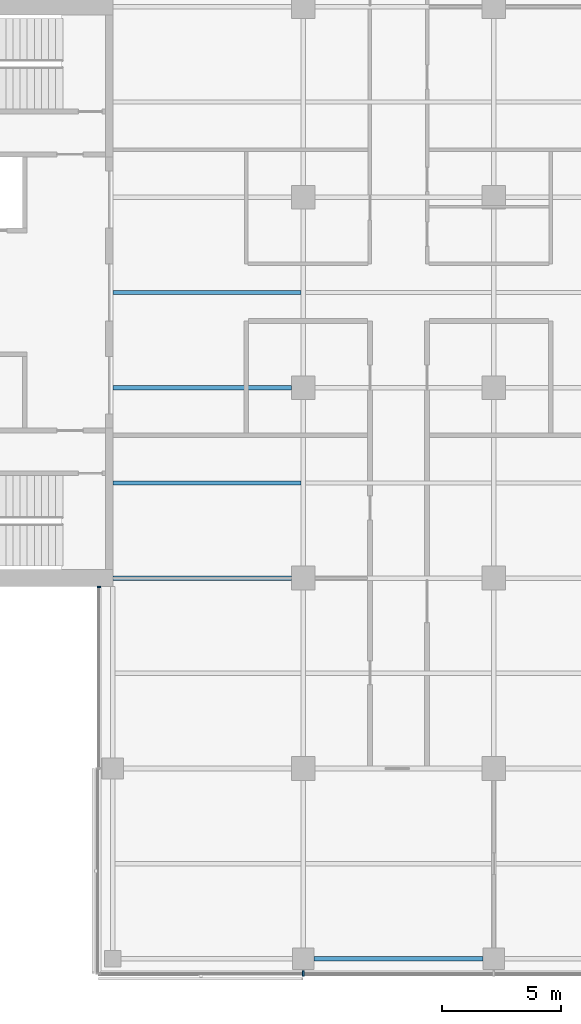
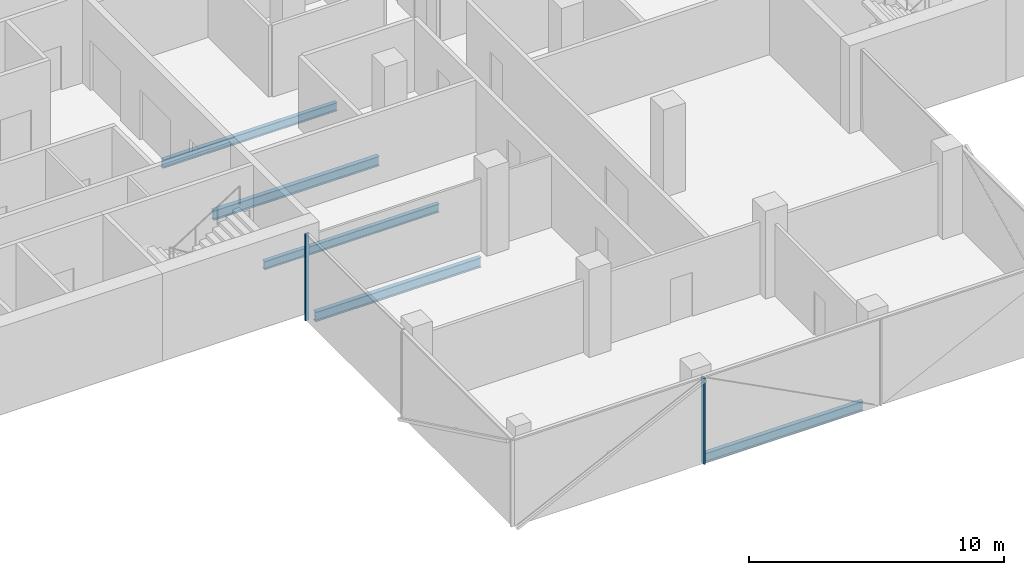
# One storey, part 4 of 22: 5 beams, 2 members, 2 elements without a shape of their own.
"""IFC4 building model written with IfcOpenShell, lengths in metres."""

from ifc_helpers import new_model, si_unit, direction, frame, origin, origin_2d, place, context, subcontext, project, spatial, rectangle, i_section, extrude, material, material_profile, profile_set, type_object, element, aggregate, save


model = new_model("IFC4")

# Units and contexts
model_context = context("Model", 3, precision=1e-05, world=origin(), true_north=direction((0.0, 1.0)))
body_context = subcontext(model_context, "Body", "Model", "MODEL_VIEW")
ifc_project = project(units=[si_unit("LENGTHUNIT", "METRE"), si_unit("AREAUNIT", "SQUARE_METRE"), si_unit("VOLUMEUNIT", "CUBIC_METRE"), si_unit("PLANEANGLEUNIT", "RADIAN"), si_unit("MASSUNIT", "GRAM", prefix="KILO")], contexts=[model_context])

# Site, building, storey
site_placement = place(None, origin())
site = spatial("IfcSite", under=ifc_project, at=site_placement, CompositionType="ELEMENT")
building_placement = place(site_placement, origin())
building = spatial("IfcBuilding", under=site, at=building_placement, Name="Crosswind Convention Tower", CompositionType="ELEMENT")
storey_placement = place(building_placement, frame((0.0, 0.0, 150.5)))
storey = spatial("IfcBuildingStorey", under=building, at=storey_placement, Name="L31", CompositionType="ELEMENT", Elevation=150.5)

# Beams
ifc_material_1 = material(Name="Steel S355", Category="steel")
ifc_material_profile_1 = material_profile(ifc_material_1, i_section(OverallWidth=0.18994140625, OverallDepth=0.45361328125, WebThickness=0.008544921875, FlangeThickness=0.0126953125, FilletRadius=0.01025390625, at=origin_2d()), Name="UB 457x191x67")
ifc_profile_set_1 = profile_set([ifc_material_profile_1], Name="Steel S355")
beam_type_1 = type_object("IfcBeamType", Name="Edge beam UB 457x191x67", PredefinedType="SPANDREL", material=ifc_profile_set_1)
beam_placement = place(storey_placement, frame((121.449951171875, 72.0, -0.52685546875), z_axis=(1.0, 0.0, 0.0), x_axis=(0.0, 1.0, 0.0)))
element("IfcBeam", 1, at=beam_placement, inside=storey, type_object=beam_type_1, Name="B16 L31 edge beam 12", PredefinedType="SPANDREL", context=body_context, shape_type="SweptSolid", body=[
    extrude(i_section(OverallWidth=0.18994140625, OverallDepth=0.45361328125, WebThickness=0.008544921875, FlangeThickness=0.0126953125, FilletRadius=0.01025390625, at=origin_2d()), origin(), (0.0, 0.0, 1.0), 7.10009765625),
])
ifc_material_profile_2 = material_profile(ifc_material_1, i_section(OverallWidth=0.19189453125, OverallDepth=0.463623046875, WebThickness=0.010498046875, FlangeThickness=0.017578125, FilletRadius=0.01025390625, at=origin_2d()), Name="UB 457x191x90")
ifc_profile_set_2 = profile_set([ifc_material_profile_2], Name="Steel S355")
beam_type_2 = type_object("IfcBeamType", Name="Girder at core wall UB 457x191x90", PredefinedType="BEAM", material=ifc_profile_set_2)
for number, where, z_axis, x_axis, name in (
    (2, (113.0, 88.0, -0.53173828125), (1.0, 0.0, 0.0), (0.0, 1.0, 0.0), "B24 L31 girder at core wall 3"),
    (3, (113.0, 96.0, -0.53173828125), (1.0, 0.0, 0.0), (0.0, 1.0, 0.0), "B24 L31 girder at core wall 4"),
):
    element("IfcBeam", number, at=place(storey_placement, frame(where, z_axis=z_axis, x_axis=x_axis)), inside=storey, type_object=beam_type_2, Name=name, PredefinedType="BEAM", context=body_context, shape_type="SweptSolid", body=[
        extrude(i_section(OverallWidth=0.19189453125, OverallDepth=0.463623046875, WebThickness=0.010498046875, FlangeThickness=0.017578125, FilletRadius=0.01025390625, at=origin_2d()), origin(), (0.0, 0.0, 1.0), 7.5),
    ])

# Curtain wall, member
ifc_material_2 = material(Name="Aluminium unitised curtain wall", Category="aluminium")
curtain_wall_type_1 = type_object("IfcCurtainWallType", Name="CORE END SLOT WALL 160", PredefinedType="USERDEFINED", material=ifc_material_2)
curtain_wall_1_placement = place(storey_placement, origin())
curtain_wall_1 = element("IfcCurtainWall", 4, at=curtain_wall_1_placement, inside=storey, type_object=curtain_wall_type_1, Name="CW6 L31 S-W.1-1 slot", ObjectType="UNITISED", PredefinedType="USERDEFINED")
ifc_material_3 = material(Name="Aluminium mullion", Category="aluminium")
ifc_material_profile_3 = material_profile(ifc_material_3, rectangle(XDim=0.159912109375, YDim=0.050048828125, at=origin_2d()), Name="AL 160X50")
ifc_profile_set_3 = profile_set([ifc_material_profile_3], Name="Aluminium mullion")
member_type_1 = type_object("IfcMemberType", Name="MULLION 50X160", PredefinedType="MULLION", material=ifc_profile_set_3)
member_1_placement = place(storey_placement, frame((112.419921875, 87.625, -0.300048828125), z_axis=(0.0, 0.0, 1.0), x_axis=(-1.0, 0.0, 0.0)))
member_1 = element("IfcMember", 5, at=member_1_placement, type_object=member_type_1, Name="CW6 mullion 1", PredefinedType="MULLION", context=body_context, shape_type="SweptSolid", body=[
    extrude(rectangle(XDim=0.159912109375, YDim=0.050048828125, at=origin_2d()), origin(), (0.0, 0.0, 1.0), 4.150146484375),
])
aggregate(curtain_wall_1, [member_1])

curtain_wall_type_2 = type_object("IfcCurtainWallType", Name="OFFICE UNITISED WALL 220", PredefinedType="USERDEFINED", material=ifc_material_2)
curtain_wall_2_placement = place(storey_placement, origin())
curtain_wall_2 = element("IfcCurtainWall", 6, at=curtain_wall_2_placement, inside=storey, type_object=curtain_wall_type_2, Name="CW3 L31 S-TIP 1", ObjectType="UNITISED", PredefinedType="USERDEFINED")
ifc_material_profile_4 = material_profile(ifc_material_3, rectangle(XDim=0.219970703125, YDim=0.070068359375, at=origin_2d()), Name="AL 220X70")
ifc_profile_set_4 = profile_set([ifc_material_profile_4], Name="Aluminium mullion")
member_type_2 = type_object("IfcMemberType", Name="MULLION 70X220", PredefinedType="MULLION", material=ifc_profile_set_4)
member_2_placement = place(storey_placement, frame((121.0, 71.389892578125, -0.300048828125), z_axis=(0.0, 0.0, 1.0), x_axis=(0.0, -1.0, 0.0)))
member_2 = element("IfcMember", 7, at=member_2_placement, type_object=member_type_2, Name="CW3 mullion 2", PredefinedType="MULLION", context=body_context, shape_type="SweptSolid", body=[
    extrude(rectangle(XDim=0.219970703125, YDim=0.070068359375, at=origin_2d()), origin(), (0.0, 0.0, 1.0), 4.130126953125),
])
aggregate(curtain_wall_2, [member_2])

# Beams
ifc_material_profile_5 = material_profile(ifc_material_1, i_section(OverallWidth=0.177734375, OverallDepth=0.406494140625, WebThickness=0.0078125, FlangeThickness=0.0126953125, FilletRadius=0.01025390625, at=origin_2d()), Name="UB 406x178x60")
ifc_profile_set_5 = profile_set([ifc_material_profile_5], Name="Steel S355")
beam_type_3 = type_object("IfcBeamType", Name="Secondary beam UB 406x178x60", PredefinedType="JOIST", material=ifc_profile_set_5)
for number, where, z_axis, x_axis, name in (
    (8, (113.0, 92.0, -0.503173828125), (1.0, 0.0, 0.0), (0.0, 1.0, 0.0), "B10 L31 secondary beam 4"),
    (9, (113.0, 100.0, -0.503173828125), (1.0, 0.0, 0.0), (0.0, 1.0, 0.0), "B10 L31 secondary beam 5"),
):
    element("IfcBeam", number, at=place(storey_placement, frame(where, z_axis=z_axis, x_axis=x_axis)), inside=storey, type_object=beam_type_3, Name=name, PredefinedType="JOIST", context=body_context, shape_type="SweptSolid", body=[
        extrude(i_section(OverallWidth=0.177734375, OverallDepth=0.406494140625, WebThickness=0.0078125, FlangeThickness=0.0126953125, FilletRadius=0.01025390625, at=origin_2d()), origin(), (0.0, 0.0, 1.0), 7.904296875),
    ])

save(model, "model.ifc")
